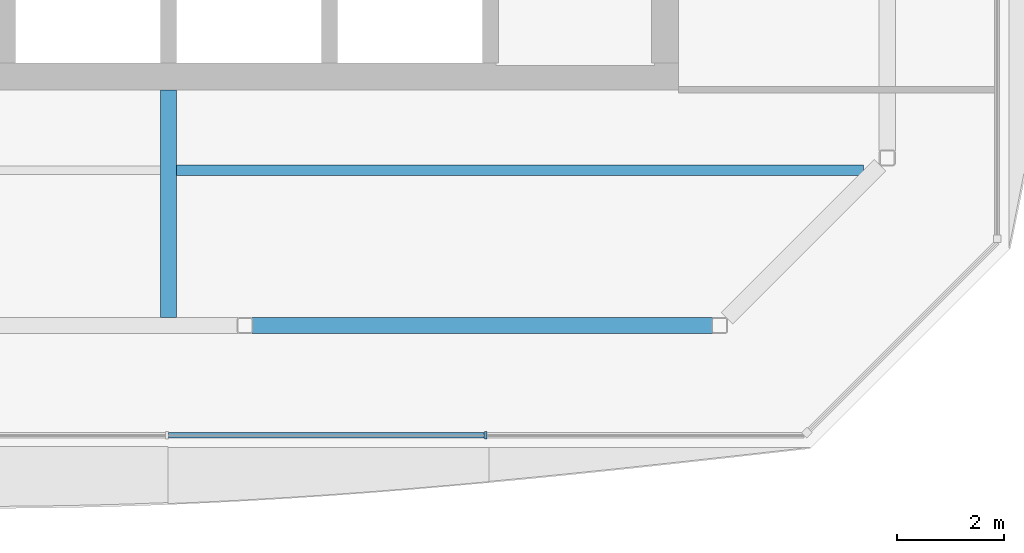
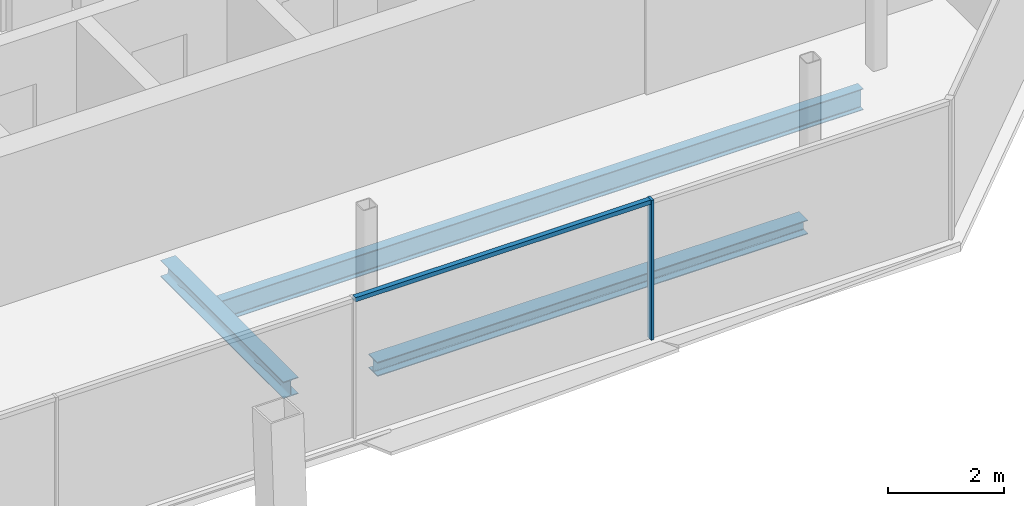
# One storey, part 5 of 17: 3 beams, 2 members, 1 element without a shape of its own.
"""IFC4 building model written with IfcOpenShell, lengths in metres."""

from ifc_helpers import new_model, si_unit, direction, frame, origin, origin_2d, place, context, subcontext, project, spatial, rectangle, i_section, extrude, material, material_profile, profile_set, type_object, element, aggregate, save


model = new_model("IFC4")

# Units and contexts
model_context = context("Model", 3, precision=1e-05, world=origin(), true_north=direction((0.0, 1.0)))
body_context = subcontext(model_context, "Body", "Model", "MODEL_VIEW")
ifc_project = project(units=[si_unit("LENGTHUNIT", "METRE"), si_unit("AREAUNIT", "SQUARE_METRE"), si_unit("VOLUMEUNIT", "CUBIC_METRE"), si_unit("PLANEANGLEUNIT", "RADIAN"), si_unit("MASSUNIT", "GRAM", prefix="KILO")], contexts=[model_context])

# Site, building, storey
site_placement = place(None, origin())
site = spatial("IfcSite", under=ifc_project, at=site_placement, CompositionType="ELEMENT")
building_placement = place(site_placement, origin())
building = spatial("IfcBuilding", under=site, at=building_placement, Name="Tskaro Facet Tower", CompositionType="ELEMENT")
storey_placement = place(building_placement, frame((0.0, 0.0, 232.949951171875)))
storey = spatial("IfcBuildingStorey", under=building, at=storey_placement, Name="L60", CompositionType="ELEMENT", Elevation=232.949951171875)

# Curtain wall, members
ifc_material_1 = material(Name="Bronze anodised aluminium 6063-T6", Category="aluminium")
curtain_wall_type = type_object("IfcCurtainWallType", Name="Bronze residence curtain wall (FW3)", PredefinedType="NOTDEFINED", material=ifc_material_1)
curtain_wall_placement = place(storey_placement, origin())
curtain_wall = element("IfcCurtainWall", 1, at=curtain_wall_placement, inside=storey, type_object=curtain_wall_type, Name="FW3 south facet L60", PredefinedType="NOTDEFINED")
ifc_material_profile_1 = material_profile(ifc_material_1, rectangle(XDim=0.050048828125, YDim=0.139892578125, at=origin_2d()), Name="Mullion 50x140")
ifc_profile_set_1 = profile_set([ifc_material_profile_1], Name="Bronze anodised aluminium 6063-T6")
member_type_1 = type_object("IfcMemberType", Name="FW3 bronze mullion 50x140", PredefinedType="MULLION", material=ifc_profile_set_1)
member_1_placement = place(storey_placement, frame((5.906494140625, -18.43701171875, 0.0), z_axis=(0.0, 0.0, 1.0), x_axis=(1.0, 0.0, 0.0)))
member_1 = element("IfcMember", 2, at=member_1_placement, type_object=member_type_1, Name="FW3 south mullion 4", PredefinedType="MULLION", context=body_context, shape_type="SweptSolid", body=[
    extrude(rectangle(XDim=0.050048828125, YDim=0.139892578125, at=origin_2d()), origin(), (0.0, 0.0, 1.0), 2.949951171875),
])
ifc_material_profile_2 = material_profile(ifc_material_1, rectangle(XDim=0.10009765625, YDim=0.090087890625, at=origin_2d()), Name="Transom 100x90")
ifc_profile_set_2 = profile_set([ifc_material_profile_2], Name="Bronze anodised aluminium 6063-T6")
member_type_2 = type_object("IfcMemberType", Name="FW3 bronze transom 100x90", PredefinedType="USERDEFINED", material=ifc_profile_set_2)
member_2_placement = place(storey_placement, frame((-0.006103515625, -18.43701171875, 2.905029296875), z_axis=(1.0, 0.0, 0.0), x_axis=(0.0, 1.0, 0.0)))
member_2 = element("IfcMember", 3, at=member_2_placement, type_object=member_type_2, Name="FW3 south transom 4.1", ObjectType="TRANSOM", PredefinedType="USERDEFINED", context=body_context, shape_type="SweptSolid", body=[
    extrude(rectangle(XDim=0.10009765625, YDim=0.090087890625, at=origin_2d()), origin(), (0.0, 0.0, 1.0), 5.887451171875),
])
aggregate(curtain_wall, [member_1, member_2])

# Beams
ifc_material_2 = material(Name="Steel S355J2", Category="steel")
ifc_material_profile_3 = material_profile(ifc_material_2, i_section(OverallWidth=0.300048828125, OverallDepth=0.300048828125, WebThickness=0.010986328125, FlangeThickness=0.01904296875, FilletRadius=0.027099609375, at=origin_2d()), Name="HE 300 B")
ifc_profile_set_3 = profile_set([ifc_material_profile_3], Name="Steel S355J2")
beam_type_1 = type_object("IfcBeamType", Name="HE 300 B ring beam", PredefinedType="BEAM", material=ifc_profile_set_3)
beam_1_placement = place(storey_placement, frame((1.552978515625, -16.39111328125, -0.2900390625), z_axis=(1.0, 0.0, 0.0), x_axis=(0.0, 1.0, 0.0)))
element("IfcBeam", 4, at=beam_1_placement, inside=storey, type_object=beam_type_1, Name="HE 300 B EB3-5", PredefinedType="BEAM", context=body_context, shape_type="SweptSolid", body=[
    extrude(i_section(OverallWidth=0.300048828125, OverallDepth=0.300048828125, WebThickness=0.010986328125, FlangeThickness=0.01904296875, FilletRadius=0.027099609375, at=origin_2d()), origin(), (0.0, 0.0, 1.0), 8.5849609375),
])
ifc_material_profile_4 = material_profile(ifc_material_2, i_section(OverallWidth=0.300048828125, OverallDepth=0.35009765625, WebThickness=0.010009765625, FlangeThickness=0.017578125, FilletRadius=0.027099609375, at=origin_2d()), Name="HE 360 A")
ifc_profile_set_4 = profile_set([ifc_material_profile_4], Name="Steel S355J2")
beam_type_2 = type_object("IfcBeamType", Name="HE 360 A girder", PredefinedType="BEAM", material=ifc_profile_set_4)
beam_2_placement = place(storey_placement, frame((0.0, -16.240966796875, -0.31494140625), z_axis=(0.0, 1.0, 0.0), x_axis=(-1.0, 0.0, 0.0)))
element("IfcBeam", 5, at=beam_2_placement, inside=storey, type_object=beam_type_2, Name="HE 360 A GB4-1-5", PredefinedType="BEAM", context=body_context, shape_type="SweptSolid", body=[
    extrude(i_section(OverallWidth=0.300048828125, OverallDepth=0.35009765625, WebThickness=0.010009765625, FlangeThickness=0.017578125, FilletRadius=0.027099609375, at=origin_2d()), origin(), (0.0, 0.0, 1.0), 4.240966796875),
])
ifc_material_profile_5 = material_profile(ifc_material_2, i_section(OverallWidth=0.18994140625, OverallDepth=0.449951171875, WebThickness=0.009521484375, FlangeThickness=0.0146484375, FilletRadius=0.02099609375, at=origin_2d()), Name="IPE 450")
ifc_profile_set_5 = profile_set([ifc_material_profile_5], Name="Steel S355J2")
beam_type_3 = type_object("IfcBeamType", Name="IPE 450 long secondary beam", PredefinedType="BEAM", material=ifc_profile_set_5)
beam_3_placement = place(storey_placement, frame((0.14990234375, -13.5, -0.364990234375), z_axis=(1.0, 0.0, 0.0), x_axis=(0.0, 1.0, 0.0)))
element("IfcBeam", 6, at=beam_3_placement, inside=storey, type_object=beam_type_3, Name="IPE 450 LSB2a-3-5", PredefinedType="BEAM", context=body_context, shape_type="SweptSolid", body=[
    extrude(i_section(OverallWidth=0.18994140625, OverallDepth=0.449951171875, WebThickness=0.009521484375, FlangeThickness=0.0146484375, FilletRadius=0.02099609375, at=origin_2d()), origin(), (0.0, 0.0, 1.0), 12.797119140625),
])

save(model, "model.ifc")
